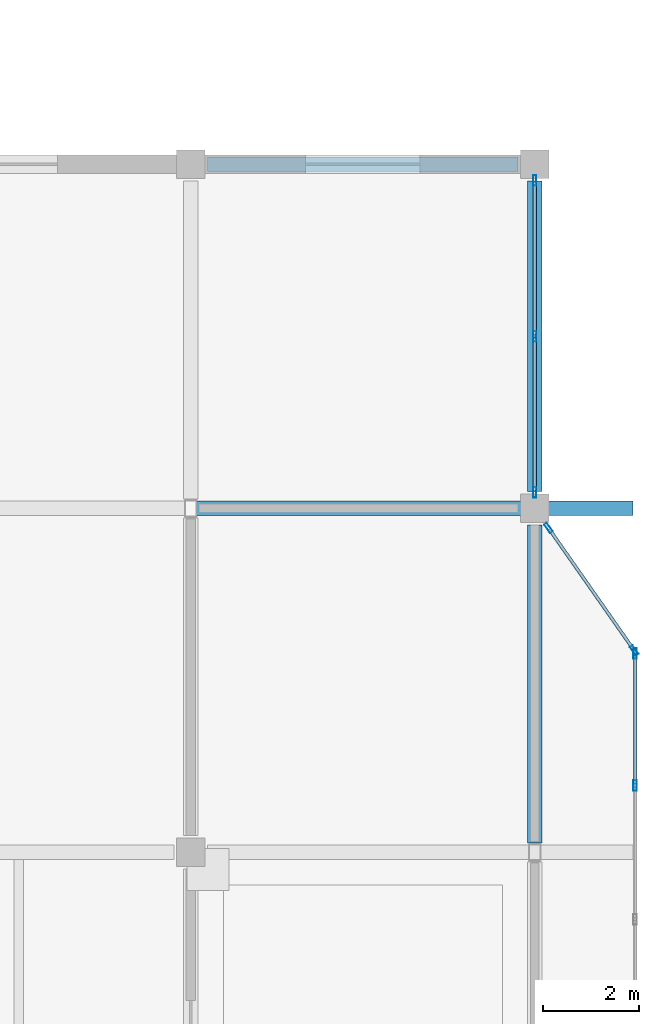
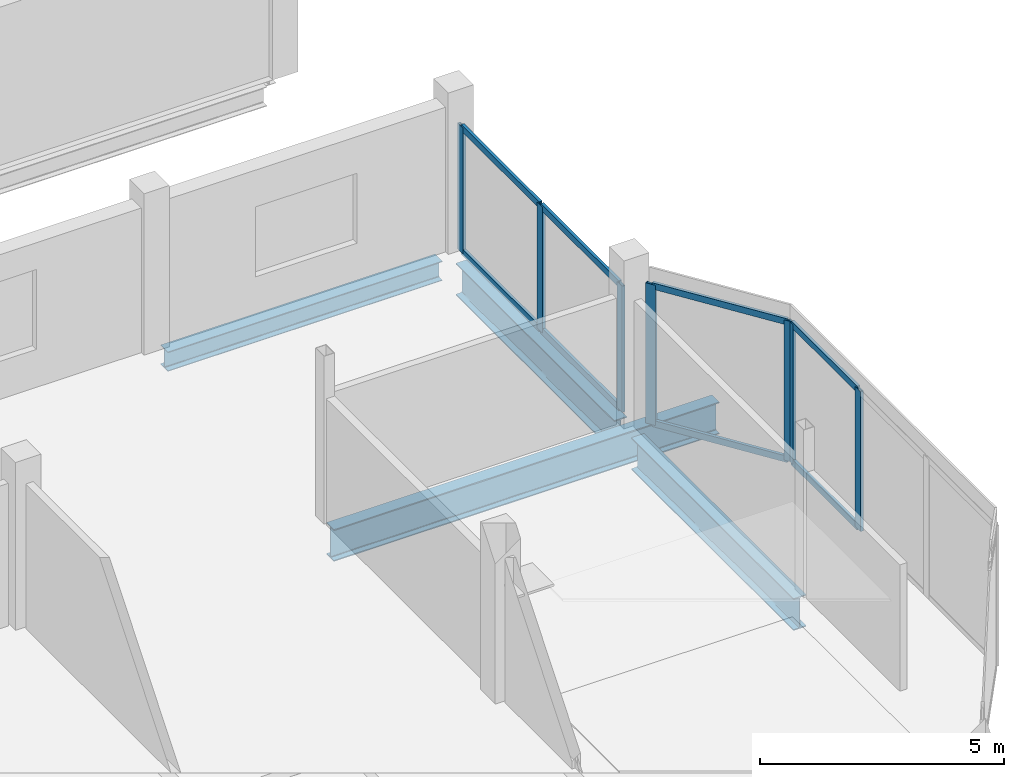
# One storey, part 32 of 51: 15 members, 4 beams, 3 elements without a shape of their own.
"""IFC4 building model written with IfcOpenShell, lengths in metres."""

from ifc_helpers import new_model, si_unit, direction, frame, origin, origin_2d, place, context, subcontext, project, spatial, hollow_rectangle, i_section, extrude, material, material_profile, profile_set, type_object, element, aggregate, save


model = new_model("IFC4")

# Units and contexts
model_context = context("Model", 3, precision=1e-05, world=origin(), true_north=direction((0.0, 1.0)))
body_context = subcontext(model_context, "Body", "Model", "MODEL_VIEW")
ifc_project = project(units=[si_unit("LENGTHUNIT", "METRE"), si_unit("AREAUNIT", "SQUARE_METRE"), si_unit("VOLUMEUNIT", "CUBIC_METRE"), si_unit("PLANEANGLEUNIT", "RADIAN"), si_unit("MASSUNIT", "GRAM", prefix="KILO")], contexts=[model_context])

# Site, building, storey
site_placement = place(None, origin())
site = spatial("IfcSite", under=ifc_project, at=site_placement, CompositionType="ELEMENT")
building_placement = place(site_placement, origin())
building = spatial("IfcBuilding", under=site, at=building_placement, Name="Vesperath Aquatics Centre", CompositionType="ELEMENT")
storey_placement = place(building_placement, frame((0.0, 0.0, 15.0)))
storey = spatial("IfcBuildingStorey", under=building, at=storey_placement, Name="L03", CompositionType="ELEMENT", Elevation=15.0)

# Beams
ifc_material_1 = material(Name="Steel Q355D", Category="steel")
ifc_material_profile_1 = material_profile(ifc_material_1, i_section(OverallWidth=0.300048828125, OverallDepth=0.800048828125, WebThickness=0.013916015625, FlangeThickness=0.02587890625, FilletRadius=0.028076171875, at=origin_2d()), Name="HN 800x300x14x26")
ifc_profile_set_1 = profile_set([ifc_material_profile_1], Name="Steel Q355D")
beam_type_1 = type_object("IfcBeamType", Name="BM-G07", PredefinedType="BEAM", material=ifc_profile_set_1)
beam_1_placement = place(storey_placement, frame((165.72509765625, 36.0, -0.639892578125), z_axis=(1.0, 0.0, 0.0), x_axis=(0.0, 1.0, 0.0)))
element("IfcBeam", 1, at=beam_1_placement, inside=storey, type_object=beam_type_1, Name="Floor Girder B07 L03 F 24-25", PredefinedType="BEAM", context=body_context, shape_type="SweptSolid", body=[
    extrude(i_section(OverallWidth=0.300048828125, OverallDepth=0.800048828125, WebThickness=0.013916015625, FlangeThickness=0.02587890625, FilletRadius=0.028076171875, at=origin_2d()), origin(), (0.0, 0.0, 1.0), 9.125),
])
beam_2_placement = place(storey_placement, frame((172.800048828125, 29.0, -0.639892578125), z_axis=(0.0, 1.0, 0.0), x_axis=(-1.0, 0.0, 0.0)))
element("IfcBeam", 2, at=beam_2_placement, inside=storey, type_object=beam_type_1, Name="Floor Girder B07 L03 25 E-F", PredefinedType="BEAM", context=body_context, shape_type="SweptSolid", body=[
    extrude(i_section(OverallWidth=0.300048828125, OverallDepth=0.800048828125, WebThickness=0.013916015625, FlangeThickness=0.02587890625, FilletRadius=0.028076171875, at=origin_2d()), origin(), (0.0, 0.0, 1.0), 6.64990234375),
])
beam_3_placement = place(storey_placement, frame((172.800048828125, 36.35009765625, -0.639892578125), z_axis=(0.0, 1.0, 0.0), x_axis=(-1.0, 0.0, 0.0)))
element("IfcBeam", 3, at=beam_3_placement, inside=storey, type_object=beam_type_1, Name="Floor Girder B07 L03 25 F-G", PredefinedType="BEAM", context=body_context, shape_type="SweptSolid", body=[
    extrude(i_section(OverallWidth=0.300048828125, OverallDepth=0.800048828125, WebThickness=0.013916015625, FlangeThickness=0.02587890625, FilletRadius=0.028076171875, at=origin_2d()), origin(), (0.0, 0.0, 1.0), 6.5),
])
ifc_material_2 = material(Name="Steel Q355C", Category="steel")
ifc_material_profile_2 = material_profile(ifc_material_2, i_section(OverallWidth=0.300048828125, OverallDepth=0.488037109375, WebThickness=0.010986328125, FlangeThickness=0.01806640625, FilletRadius=0.02587890625, at=origin_2d()), Name="HM 488x300x11x18")
ifc_profile_set_2 = profile_set([ifc_material_profile_2], Name="Steel Q355C")
beam_type_2 = type_object("IfcBeamType", Name="BM-G10", PredefinedType="BEAM", material=ifc_profile_set_2)
beam_4_placement = place(storey_placement, frame((165.949951171875, 43.199951171875, -0.48388671875), z_axis=(1.0, 0.0, 0.0), x_axis=(0.0, 1.0, 0.0)))
element("IfcBeam", 4, at=beam_4_placement, inside=storey, type_object=beam_type_2, Name="Floor Girder B10 L03 G 24-25", PredefinedType="BEAM", context=body_context, shape_type="SweptSolid", body=[
    extrude(i_section(OverallWidth=0.300048828125, OverallDepth=0.488037109375, WebThickness=0.010986328125, FlangeThickness=0.01806640625, FilletRadius=0.02587890625, at=origin_2d()), origin(), (0.0, 0.0, 1.0), 6.5),
])

# Curtain wall, members
ifc_material_3 = material(Name="Thermally broken anodised bronze aluminium curtain wall", Category="aluminium")
curtain_wall_type = type_object("IfcCurtainWallType", Name="CW-07", PredefinedType="NOTDEFINED", material=ifc_material_3)
curtain_wall_1_placement = place(storey_placement, origin())
curtain_wall_1 = element("IfcCurtainWall", 5, at=curtain_wall_1_placement, inside=storey, type_object=curtain_wall_type, Name="Facade Curtain Wall CW07 L03_E_24_05", PredefinedType="NOTDEFINED")
ifc_material_4 = material(Name="Thermally broken anodised aluminium", Category="aluminium")
ifc_material_profile_3 = material_profile(ifc_material_4, hollow_rectangle(XDim=0.070068359375, YDim=0.219970703125, WallThickness=0.0048828125, at=origin_2d()), Name="CWM 70x220x5")
ifc_profile_set_3 = profile_set([ifc_material_profile_3], Name="Thermally broken anodised aluminium")
member_type_1 = type_object("IfcMemberType", Name="MB-CWM2", PredefinedType="MULLION", material=ifc_profile_set_3)
member_1_placement = place(storey_placement, frame((172.800048828125, 36.3349609375, 0.0), z_axis=(0.0, 0.0, 1.0), x_axis=(-1.0, 0.0, 0.0)))
member_1 = element("IfcMember", 6, at=member_1_placement, type_object=member_type_1, Name="CW07 mullion 1", PredefinedType="MULLION", context=body_context, shape_type="SweptSolid", body=[
    extrude(hollow_rectangle(XDim=0.070068359375, YDim=0.219970703125, WallThickness=0.0048828125, at=origin_2d()), origin(), (0.0, 0.0, 1.0), 3.159912109375),
])
member_2_placement = place(storey_placement, frame((172.800048828125, 39.60009765625, 0.0), z_axis=(0.0, 0.0, 1.0), x_axis=(-1.0, 0.0, 0.0)))
member_2 = element("IfcMember", 7, at=member_2_placement, type_object=member_type_1, Name="CW07 mullion 2", PredefinedType="MULLION", context=body_context, shape_type="SweptSolid", body=[
    extrude(hollow_rectangle(XDim=0.070068359375, YDim=0.219970703125, WallThickness=0.0048828125, at=origin_2d()), origin(), (0.0, 0.0, 1.0), 3.159912109375),
])
member_3_placement = place(storey_placement, frame((172.800048828125, 42.864990234375, 0.0), z_axis=(0.0, 0.0, 1.0), x_axis=(-1.0, 0.0, 0.0)))
member_3 = element("IfcMember", 8, at=member_3_placement, type_object=member_type_1, Name="CW07 mullion 3", PredefinedType="MULLION", context=body_context, shape_type="SweptSolid", body=[
    extrude(hollow_rectangle(XDim=0.070068359375, YDim=0.219970703125, WallThickness=0.0048828125, at=origin_2d()), origin(), (0.0, 0.0, 1.0), 3.159912109375),
])

curtain_wall_2_placement = place(storey_placement, origin())
curtain_wall_2 = element("IfcCurtainWall", 9, at=curtain_wall_2_placement, inside=storey, type_object=curtain_wall_type, Name="East Avenue Bow Oriel Curtain Wall L03-C", PredefinedType="NOTDEFINED")
member_4_placement = place(storey_placement, frame((174.89990234375, 30.199951171875, 0.0), z_axis=(0.0, 0.0, 1.0), x_axis=(-1.0, 0.0, 0.0)))
member_4 = element("IfcMember", 10, at=member_4_placement, type_object=member_type_1, Name="CW07 mullion 3", PredefinedType="MULLION", context=body_context, shape_type="SweptSolid", body=[
    extrude(hollow_rectangle(XDim=0.070068359375, YDim=0.219970703125, WallThickness=0.0048828125, at=origin_2d()), origin(), (0.0, 0.0, 1.0), 3.510009765625),
])
member_5_placement = place(storey_placement, frame((174.89990234375, 32.965087890625, 0.0), z_axis=(0.0, 0.0, 1.0), x_axis=(-1.0, 0.0, 0.0)))
member_5 = element("IfcMember", 11, at=member_5_placement, type_object=member_type_1, Name="CW07 mullion 4", PredefinedType="MULLION", context=body_context, shape_type="SweptSolid", body=[
    extrude(hollow_rectangle(XDim=0.070068359375, YDim=0.219970703125, WallThickness=0.0048828125, at=origin_2d()), origin(), (0.0, 0.0, 1.0), 3.510009765625),
])

curtain_wall_3_placement = place(storey_placement, origin())
curtain_wall_3 = element("IfcCurtainWall", 12, at=curtain_wall_3_placement, inside=storey, type_object=curtain_wall_type, Name="East Avenue Bow Oriel Curtain Wall L03-N", PredefinedType="NOTDEFINED")
member_6_placement = place(storey_placement, frame((174.8798828125, 33.028564453125, 0.0), z_axis=(0.0, 0.0, 1.0), x_axis=(-0.819231920515, -0.57346234437, 0.0)))
member_6 = element("IfcMember", 13, at=member_6_placement, type_object=member_type_1, Name="CW07 mullion 1", PredefinedType="MULLION", context=body_context, shape_type="SweptSolid", body=[
    extrude(hollow_rectangle(XDim=0.070068359375, YDim=0.219970703125, WallThickness=0.0048828125, at=origin_2d()), origin(), (0.0, 0.0, 1.0), 3.510009765625),
])
member_7_placement = place(storey_placement, frame((173.086181640625, 35.59130859375, 0.0), z_axis=(0.0, 0.0, 1.0), x_axis=(-0.819231920515, -0.57346234437, 0.0)))
member_7 = element("IfcMember", 14, at=member_7_placement, type_object=member_type_1, Name="CW07 mullion 2", PredefinedType="MULLION", context=body_context, shape_type="SweptSolid", body=[
    extrude(hollow_rectangle(XDim=0.070068359375, YDim=0.219970703125, WallThickness=0.0048828125, at=origin_2d()), origin(), (0.0, 0.0, 1.0), 3.510009765625),
])

# Member
ifc_material_profile_4 = material_profile(ifc_material_4, hollow_rectangle(XDim=0.070068359375, YDim=0.159912109375, WallThickness=0.0048828125, at=origin_2d()), Name="CWT 70x160x5")
ifc_profile_set_4 = profile_set([ifc_material_profile_4], Name="Thermally broken anodised aluminium")
member_type_2 = type_object("IfcMemberType", Name="MB-CWT2", PredefinedType="USERDEFINED", material=ifc_profile_set_4)
member_8_placement = place(storey_placement, frame((172.800048828125, 36.3701171875, 0.034912109375), z_axis=(0.0, 1.0, 0.0), x_axis=(-1.0, 0.0, 0.0)))
member_8 = element("IfcMember", 15, at=member_8_placement, type_object=member_type_2, Name="CW07 transom 1.1", ObjectType="TRANSOM", PredefinedType="USERDEFINED", context=body_context, shape_type="SweptSolid", body=[
    extrude(hollow_rectangle(XDim=0.070068359375, YDim=0.159912109375, WallThickness=0.0048828125, at=origin_2d()), origin(), (0.0, 0.0, 1.0), 3.19482421875),
])

member_9_placement = place(storey_placement, frame((172.800048828125, 36.3701171875, 3.125), z_axis=(0.0, 1.0, 0.0), x_axis=(-1.0, 0.0, 0.0)))
member_9 = element("IfcMember", 16, at=member_9_placement, type_object=member_type_2, Name="CW07 transom 1.2", ObjectType="TRANSOM", PredefinedType="USERDEFINED", context=body_context, shape_type="SweptSolid", body=[
    extrude(hollow_rectangle(XDim=0.070068359375, YDim=0.159912109375, WallThickness=0.0048828125, at=origin_2d()), origin(), (0.0, 0.0, 1.0), 3.19482421875),
])

member_10_placement = place(storey_placement, frame((172.800048828125, 39.635009765625, 0.034912109375), z_axis=(0.0, 1.0, 0.0), x_axis=(-1.0, 0.0, 0.0)))
member_10 = element("IfcMember", 17, at=member_10_placement, type_object=member_type_2, Name="CW07 transom 2.1", ObjectType="TRANSOM", PredefinedType="USERDEFINED", context=body_context, shape_type="SweptSolid", body=[
    extrude(hollow_rectangle(XDim=0.070068359375, YDim=0.159912109375, WallThickness=0.0048828125, at=origin_2d()), origin(), (0.0, 0.0, 1.0), 3.195068359375),
])

member_11_placement = place(storey_placement, frame((172.800048828125, 39.635009765625, 3.125), z_axis=(0.0, 1.0, 0.0), x_axis=(-1.0, 0.0, 0.0)))
member_11 = element("IfcMember", 18, at=member_11_placement, type_object=member_type_2, Name="CW07 transom 2.2", ObjectType="TRANSOM", PredefinedType="USERDEFINED", context=body_context, shape_type="SweptSolid", body=[
    extrude(hollow_rectangle(XDim=0.070068359375, YDim=0.159912109375, WallThickness=0.0048828125, at=origin_2d()), origin(), (0.0, 0.0, 1.0), 3.195068359375),
])

aggregate(curtain_wall_1, [member_1, member_2, member_3, member_8, member_9, member_10, member_11])

member_12_placement = place(storey_placement, frame((174.89990234375, 30.235107421875, 0.034912109375), z_axis=(0.0, 1.0, 0.0), x_axis=(-1.0, 0.0, 0.0)))
member_12 = element("IfcMember", 19, at=member_12_placement, type_object=member_type_2, Name="CW07 transom 3.1", ObjectType="TRANSOM", PredefinedType="USERDEFINED", context=body_context, shape_type="SweptSolid", body=[
    extrude(hollow_rectangle(XDim=0.070068359375, YDim=0.159912109375, WallThickness=0.0048828125, at=origin_2d()), origin(), (0.0, 0.0, 1.0), 2.69482421875),
])

member_13_placement = place(storey_placement, frame((174.89990234375, 30.235107421875, 3.47509765625), z_axis=(0.0, 1.0, 0.0), x_axis=(-1.0, 0.0, 0.0)))
member_13 = element("IfcMember", 20, at=member_13_placement, type_object=member_type_2, Name="CW07 transom 3.2", ObjectType="TRANSOM", PredefinedType="USERDEFINED", context=body_context, shape_type="SweptSolid", body=[
    extrude(hollow_rectangle(XDim=0.070068359375, YDim=0.159912109375, WallThickness=0.0048828125, at=origin_2d()), origin(), (0.0, 0.0, 1.0), 2.69482421875),
])

aggregate(curtain_wall_2, [member_4, member_5, member_12, member_13])

member_14_placement = place(storey_placement, frame((174.85986328125, 33.057373046875, 0.034912109375), z_axis=(-0.573440912472, 0.819246922426, 0.0), x_axis=(-0.819246922426, -0.573440912472, 0.0)))
member_14 = element("IfcMember", 21, at=member_14_placement, type_object=member_type_2, Name="CW07 transom 1.1", ObjectType="TRANSOM", PredefinedType="USERDEFINED", context=body_context, shape_type="SweptSolid", body=[
    extrude(hollow_rectangle(XDim=0.070068359375, YDim=0.159912109375, WallThickness=0.0048828125, at=origin_2d()), origin(), (0.0, 0.0, 1.0), 3.05810546875),
])

member_15_placement = place(storey_placement, frame((174.85986328125, 33.057373046875, 3.47509765625), z_axis=(-0.573440912472, 0.819246922426, 0.0), x_axis=(-0.819246922426, -0.573440912472, 0.0)))
member_15 = element("IfcMember", 22, at=member_15_placement, type_object=member_type_2, Name="CW07 transom 1.2", ObjectType="TRANSOM", PredefinedType="USERDEFINED", context=body_context, shape_type="SweptSolid", body=[
    extrude(hollow_rectangle(XDim=0.070068359375, YDim=0.159912109375, WallThickness=0.0048828125, at=origin_2d()), origin(), (0.0, 0.0, 1.0), 3.05810546875),
])

aggregate(curtain_wall_3, [member_6, member_7, member_14, member_15])

save(model, "model.ifc")
